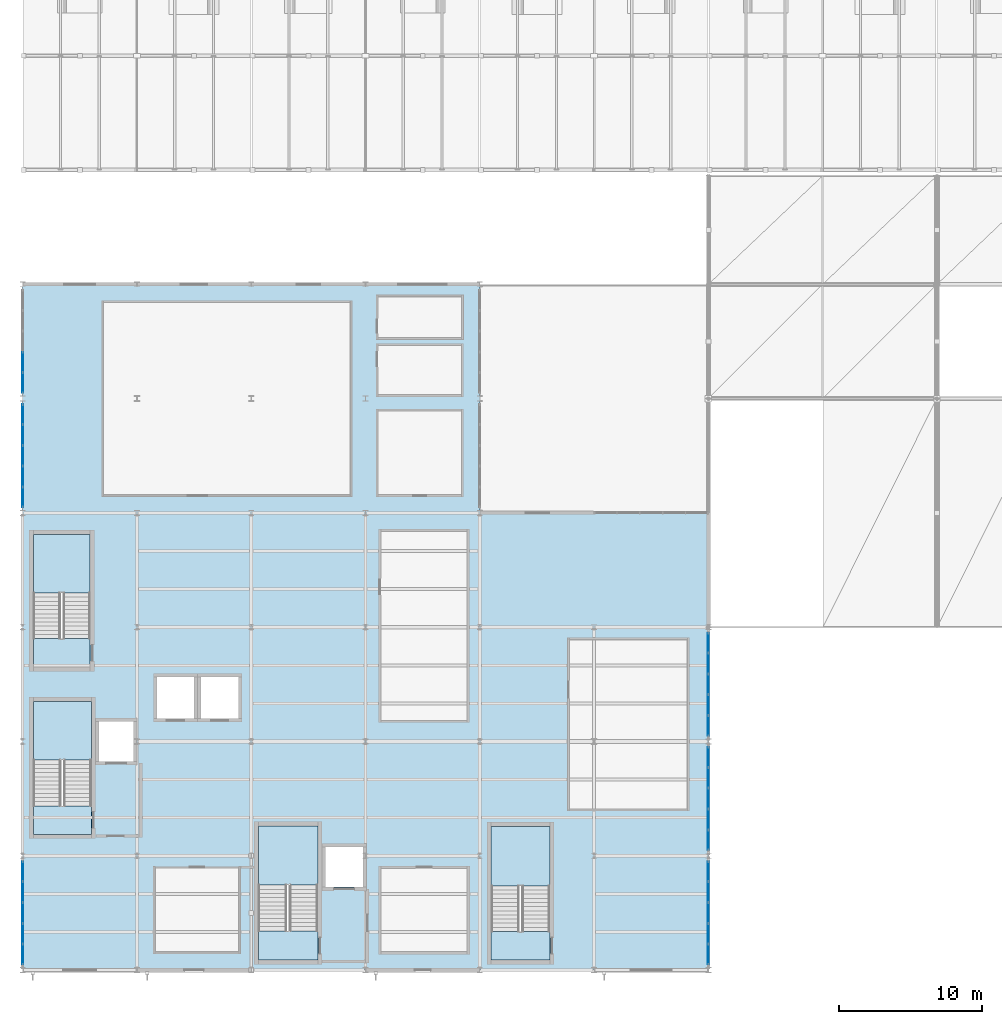
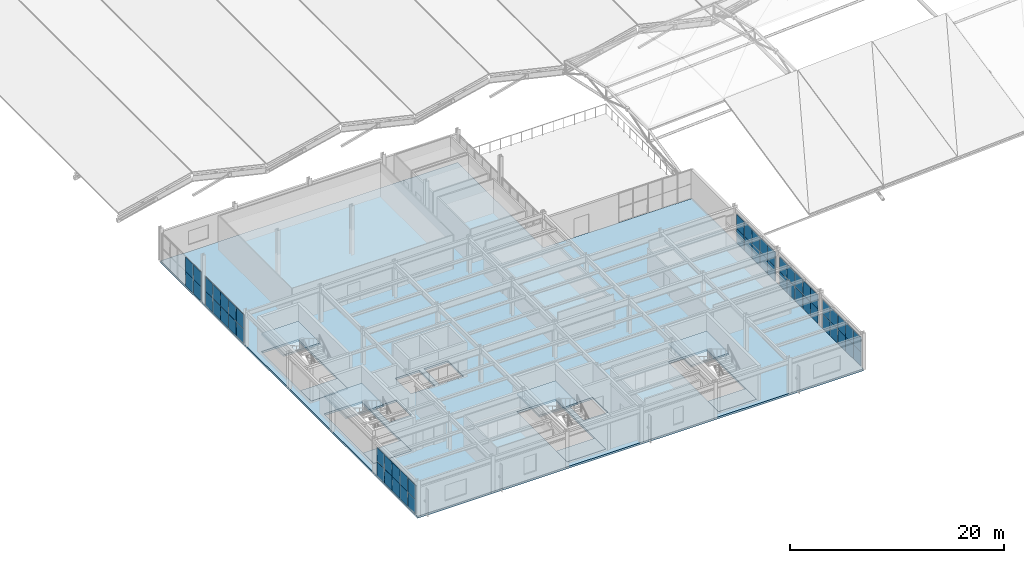
# One storey, part 35 of 67: 54 plates, 9 slabs, 10 elements without a shape of their own.
"""IFC4 building model written with IfcOpenShell, lengths in metres."""

from ifc_helpers import new_model, si_unit, direction, frame, origin, origin_2d, place, context, subcontext, project, spatial, polyline, rectangle, outline, extrude, material, layer, layer_set, type_object, element, aggregate, save


model = new_model("IFC4")

# Units and contexts
model_context = context("Model", 3, precision=1e-05, world=origin(), true_north=direction((0.0, 1.0)))
body_context = subcontext(model_context, "Body", "Model", "MODEL_VIEW")
ifc_project = project(units=[si_unit("LENGTHUNIT", "METRE"), si_unit("AREAUNIT", "SQUARE_METRE"), si_unit("VOLUMEUNIT", "CUBIC_METRE"), si_unit("PLANEANGLEUNIT", "RADIAN"), si_unit("MASSUNIT", "GRAM", prefix="KILO")], contexts=[model_context])

# Site, building, storey
site_placement = place(None, origin())
site = spatial("IfcSite", under=ifc_project, at=site_placement, CompositionType="ELEMENT")
building_placement = place(site_placement, origin())
building = spatial("IfcBuilding", under=site, at=building_placement, Name="Drelvath Fold Interchange", CompositionType="ELEMENT")
storey_placement = place(building_placement, frame((0.0, 0.0, 15.60009765625)))
storey = spatial("IfcBuildingStorey", under=building, at=storey_placement, Name="L03", CompositionType="ELEMENT", Elevation=15.60009765625)

# Curtain wall, plates
ifc_material_1 = material(Name="Anodized Aluminium 6063-T6", Category="aluminium")
curtain_wall_type = type_object("IfcCurtainWallType", Name="CW-OPS-UPP", PredefinedType="USERDEFINED", material=ifc_material_1)
curtain_wall_1_placement = place(storey_placement, origin())
curtain_wall_1 = element("IfcCurtainWall", 1, at=curtain_wall_1_placement, inside=storey, type_object=curtain_wall_type, Name="Curtain wall CW-V5-L03-W3", ObjectType="UNITISED CURTAIN WALL", PredefinedType="USERDEFINED")
ifc_material_2 = material(Name="Low-Iron Insulated Laminated Glass", Category="glass")
ifc_layer_1 = layer(ifc_material_2, 0.068115234375, Name="Low-Iron Insulated Laminated Glass")
ifc_layer_set_1 = layer_set([ifc_layer_1], Name="Low-Iron Insulated Laminated Glass")
plate_type = type_object("IfcPlateType", Name="CP-OPS-A", PredefinedType="CURTAIN_PANEL", material=ifc_layer_set_1)
plate_1_placement = place(storey_placement, frame((4.0, 4.10791015625, 0.040283203125), z_axis=(0.0, 0.0, 1.0), x_axis=(0.0, 1.0, 0.0)))
plate_1 = element("IfcPlate", 2, at=plate_1_placement, type_object=plate_type, Name="CW-V5-L03-W3 glazed panel 0-0", PredefinedType="CURTAIN_PANEL", context=body_context, shape_type="SweptSolid", body=[
    extrude(rectangle(XDim=1.39599609375, YDim=0.068115234375, at=origin_2d()), origin(), (0.0, 0.0, 1.0), 1.625),
])
plate_2_placement = place(storey_placement, frame((4.0, 4.10791015625, 1.684326171875), z_axis=(0.0, 0.0, 1.0), x_axis=(0.0, 1.0, 0.0)))
plate_2 = element("IfcPlate", 3, at=plate_2_placement, type_object=plate_type, Name="CW-V5-L03-W3 glazed panel 0-1", PredefinedType="CURTAIN_PANEL", context=body_context, shape_type="SweptSolid", body=[
    extrude(rectangle(XDim=1.39599609375, YDim=0.068115234375, at=origin_2d()), origin(), (0.0, 0.0, 1.0), 1.625),
])
plate_3_placement = place(storey_placement, frame((4.0, 5.5439453125, 0.040283203125), z_axis=(0.0, 0.0, 1.0), x_axis=(0.0, 1.0, 0.0)))
plate_3 = element("IfcPlate", 4, at=plate_3_placement, type_object=plate_type, Name="CW-V5-L03-W3 glazed panel 1-0", PredefinedType="CURTAIN_PANEL", context=body_context, shape_type="SweptSolid", body=[
    extrude(rectangle(XDim=1.43603515625, YDim=0.068115234375, at=origin_2d()), origin(), (0.0, 0.0, 1.0), 1.625),
])
plate_4_placement = place(storey_placement, frame((4.0, 5.5439453125, 1.684326171875), z_axis=(0.0, 0.0, 1.0), x_axis=(0.0, 1.0, 0.0)))
plate_4 = element("IfcPlate", 5, at=plate_4_placement, type_object=plate_type, Name="CW-V5-L03-W3 glazed panel 1-1", PredefinedType="CURTAIN_PANEL", context=body_context, shape_type="SweptSolid", body=[
    extrude(rectangle(XDim=1.43603515625, YDim=0.068115234375, at=origin_2d()), origin(), (0.0, 0.0, 1.0), 1.625),
])
plate_5_placement = place(storey_placement, frame((4.0, 7.0, 0.040283203125), z_axis=(0.0, 0.0, 1.0), x_axis=(0.0, 1.0, 0.0)))
plate_5 = element("IfcPlate", 6, at=plate_5_placement, type_object=plate_type, Name="CW-V5-L03-W3 glazed panel 2-0", PredefinedType="CURTAIN_PANEL", context=body_context, shape_type="SweptSolid", body=[
    extrude(rectangle(XDim=1.43603515625, YDim=0.068115234375, at=origin_2d()), origin(), (0.0, 0.0, 1.0), 1.625),
])
plate_6_placement = place(storey_placement, frame((4.0, 7.0, 1.684326171875), z_axis=(0.0, 0.0, 1.0), x_axis=(0.0, 1.0, 0.0)))
plate_6 = element("IfcPlate", 7, at=plate_6_placement, type_object=plate_type, Name="CW-V5-L03-W3 glazed panel 2-1", PredefinedType="CURTAIN_PANEL", context=body_context, shape_type="SweptSolid", body=[
    extrude(rectangle(XDim=1.43603515625, YDim=0.068115234375, at=origin_2d()), origin(), (0.0, 0.0, 1.0), 1.625),
])
plate_7_placement = place(storey_placement, frame((4.0, 8.4560546875, 0.040283203125), z_axis=(0.0, 0.0, 1.0), x_axis=(0.0, 1.0, 0.0)))
plate_7 = element("IfcPlate", 8, at=plate_7_placement, type_object=plate_type, Name="CW-V5-L03-W3 glazed panel 3-0", PredefinedType="CURTAIN_PANEL", context=body_context, shape_type="SweptSolid", body=[
    extrude(rectangle(XDim=1.43603515625, YDim=0.068115234375, at=origin_2d()), origin(), (0.0, 0.0, 1.0), 1.625),
])
plate_8_placement = place(storey_placement, frame((4.0, 8.4560546875, 1.684326171875), z_axis=(0.0, 0.0, 1.0), x_axis=(0.0, 1.0, 0.0)))
plate_8 = element("IfcPlate", 9, at=plate_8_placement, type_object=plate_type, Name="CW-V5-L03-W3 glazed panel 3-1", PredefinedType="CURTAIN_PANEL", context=body_context, shape_type="SweptSolid", body=[
    extrude(rectangle(XDim=1.43603515625, YDim=0.068115234375, at=origin_2d()), origin(), (0.0, 0.0, 1.0), 1.625),
])
plate_9_placement = place(storey_placement, frame((4.0, 9.89208984375, 0.040283203125), z_axis=(0.0, 0.0, 1.0), x_axis=(0.0, 1.0, 0.0)))
plate_9 = element("IfcPlate", 10, at=plate_9_placement, type_object=plate_type, Name="CW-V5-L03-W3 glazed panel 4-0", PredefinedType="CURTAIN_PANEL", context=body_context, shape_type="SweptSolid", body=[
    extrude(rectangle(XDim=1.39599609375, YDim=0.068115234375, at=origin_2d()), origin(), (0.0, 0.0, 1.0), 1.625),
])
plate_10_placement = place(storey_placement, frame((4.0, 9.89208984375, 1.684326171875), z_axis=(0.0, 0.0, 1.0), x_axis=(0.0, 1.0, 0.0)))
plate_10 = element("IfcPlate", 11, at=plate_10_placement, type_object=plate_type, Name="CW-V5-L03-W3 glazed panel 4-1", PredefinedType="CURTAIN_PANEL", context=body_context, shape_type="SweptSolid", body=[
    extrude(rectangle(XDim=1.39599609375, YDim=0.068115234375, at=origin_2d()), origin(), (0.0, 0.0, 1.0), 1.625),
])
aggregate(curtain_wall_1, [plate_1, plate_2, plate_3, plate_4, plate_5, plate_6, plate_7, plate_8, plate_9, plate_10])

curtain_wall_2_placement = place(storey_placement, origin())
curtain_wall_2 = element("IfcCurtainWall", 12, at=curtain_wall_2_placement, inside=storey, type_object=curtain_wall_type, Name="Curtain wall CW-V5-L03-W35", ObjectType="UNITISED CURTAIN WALL", PredefinedType="USERDEFINED")
plate_11_placement = place(storey_placement, frame((4.0, 36.10791015625, 0.040283203125), z_axis=(0.0, 0.0, 1.0), x_axis=(0.0, 1.0, 0.0)))
plate_11 = element("IfcPlate", 13, at=plate_11_placement, type_object=plate_type, Name="CW-V5-L03-W35 glazed panel 0-0", PredefinedType="CURTAIN_PANEL", context=body_context, shape_type="SweptSolid", body=[
    extrude(rectangle(XDim=1.39599609375, YDim=0.068115234375, at=origin_2d()), origin(), (0.0, 0.0, 1.0), 1.625),
])
plate_12_placement = place(storey_placement, frame((4.0, 36.10791015625, 1.684326171875), z_axis=(0.0, 0.0, 1.0), x_axis=(0.0, 1.0, 0.0)))
plate_12 = element("IfcPlate", 14, at=plate_12_placement, type_object=plate_type, Name="CW-V5-L03-W35 glazed panel 0-1", PredefinedType="CURTAIN_PANEL", context=body_context, shape_type="SweptSolid", body=[
    extrude(rectangle(XDim=1.39599609375, YDim=0.068115234375, at=origin_2d()), origin(), (0.0, 0.0, 1.0), 1.625),
])
plate_13_placement = place(storey_placement, frame((4.0, 37.5439453125, 0.040283203125), z_axis=(0.0, 0.0, 1.0), x_axis=(0.0, 1.0, 0.0)))
plate_13 = element("IfcPlate", 15, at=plate_13_placement, type_object=plate_type, Name="CW-V5-L03-W35 glazed panel 1-0", PredefinedType="CURTAIN_PANEL", context=body_context, shape_type="SweptSolid", body=[
    extrude(rectangle(XDim=1.43603515625, YDim=0.068115234375, at=origin_2d()), origin(), (0.0, 0.0, 1.0), 1.625),
])
plate_14_placement = place(storey_placement, frame((4.0, 37.5439453125, 1.684326171875), z_axis=(0.0, 0.0, 1.0), x_axis=(0.0, 1.0, 0.0)))
plate_14 = element("IfcPlate", 16, at=plate_14_placement, type_object=plate_type, Name="CW-V5-L03-W35 glazed panel 1-1", PredefinedType="CURTAIN_PANEL", context=body_context, shape_type="SweptSolid", body=[
    extrude(rectangle(XDim=1.43603515625, YDim=0.068115234375, at=origin_2d()), origin(), (0.0, 0.0, 1.0), 1.625),
])
plate_15_placement = place(storey_placement, frame((4.0, 39.0, 0.040283203125), z_axis=(0.0, 0.0, 1.0), x_axis=(0.0, 1.0, 0.0)))
plate_15 = element("IfcPlate", 17, at=plate_15_placement, type_object=plate_type, Name="CW-V5-L03-W35 glazed panel 2-0", PredefinedType="CURTAIN_PANEL", context=body_context, shape_type="SweptSolid", body=[
    extrude(rectangle(XDim=1.43603515625, YDim=0.068115234375, at=origin_2d()), origin(), (0.0, 0.0, 1.0), 1.625),
])
plate_16_placement = place(storey_placement, frame((4.0, 39.0, 1.684326171875), z_axis=(0.0, 0.0, 1.0), x_axis=(0.0, 1.0, 0.0)))
plate_16 = element("IfcPlate", 18, at=plate_16_placement, type_object=plate_type, Name="CW-V5-L03-W35 glazed panel 2-1", PredefinedType="CURTAIN_PANEL", context=body_context, shape_type="SweptSolid", body=[
    extrude(rectangle(XDim=1.43603515625, YDim=0.068115234375, at=origin_2d()), origin(), (0.0, 0.0, 1.0), 1.625),
])
plate_17_placement = place(storey_placement, frame((4.0, 40.4560546875, 0.040283203125), z_axis=(0.0, 0.0, 1.0), x_axis=(0.0, 1.0, 0.0)))
plate_17 = element("IfcPlate", 19, at=plate_17_placement, type_object=plate_type, Name="CW-V5-L03-W35 glazed panel 3-0", PredefinedType="CURTAIN_PANEL", context=body_context, shape_type="SweptSolid", body=[
    extrude(rectangle(XDim=1.43603515625, YDim=0.068115234375, at=origin_2d()), origin(), (0.0, 0.0, 1.0), 1.625),
])
plate_18_placement = place(storey_placement, frame((4.0, 40.4560546875, 1.684326171875), z_axis=(0.0, 0.0, 1.0), x_axis=(0.0, 1.0, 0.0)))
plate_18 = element("IfcPlate", 20, at=plate_18_placement, type_object=plate_type, Name="CW-V5-L03-W35 glazed panel 3-1", PredefinedType="CURTAIN_PANEL", context=body_context, shape_type="SweptSolid", body=[
    extrude(rectangle(XDim=1.43603515625, YDim=0.068115234375, at=origin_2d()), origin(), (0.0, 0.0, 1.0), 1.625),
])
plate_19_placement = place(storey_placement, frame((4.0, 41.89208984375, 0.040283203125), z_axis=(0.0, 0.0, 1.0), x_axis=(0.0, 1.0, 0.0)))
plate_19 = element("IfcPlate", 21, at=plate_19_placement, type_object=plate_type, Name="CW-V5-L03-W35 glazed panel 4-0", PredefinedType="CURTAIN_PANEL", context=body_context, shape_type="SweptSolid", body=[
    extrude(rectangle(XDim=1.39599609375, YDim=0.068115234375, at=origin_2d()), origin(), (0.0, 0.0, 1.0), 1.625),
])
plate_20_placement = place(storey_placement, frame((4.0, 41.89208984375, 1.684326171875), z_axis=(0.0, 0.0, 1.0), x_axis=(0.0, 1.0, 0.0)))
plate_20 = element("IfcPlate", 22, at=plate_20_placement, type_object=plate_type, Name="CW-V5-L03-W35 glazed panel 4-1", PredefinedType="CURTAIN_PANEL", context=body_context, shape_type="SweptSolid", body=[
    extrude(rectangle(XDim=1.39599609375, YDim=0.068115234375, at=origin_2d()), origin(), (0.0, 0.0, 1.0), 1.625),
])
aggregate(curtain_wall_2, [plate_11, plate_12, plate_13, plate_14, plate_15, plate_16, plate_17, plate_18, plate_19, plate_20])

curtain_wall_3_placement = place(storey_placement, origin())
curtain_wall_3 = element("IfcCurtainWall", 23, at=curtain_wall_3_placement, inside=storey, type_object=curtain_wall_type, Name="Curtain wall CW-V5-L03-W43", ObjectType="UNITISED CURTAIN WALL", PredefinedType="USERDEFINED")
plate_21_placement = place(storey_placement, frame((4.0, 44.10791015625, 0.040283203125), z_axis=(0.0, 0.0, 1.0), x_axis=(0.0, 1.0, 0.0)))
plate_21 = element("IfcPlate", 24, at=plate_21_placement, type_object=plate_type, Name="CW-V5-L03-W43 glazed panel 0-0", PredefinedType="CURTAIN_PANEL", context=body_context, shape_type="SweptSolid", body=[
    extrude(rectangle(XDim=1.39599609375, YDim=0.068115234375, at=origin_2d()), origin(), (0.0, 0.0, 1.0), 1.625),
])
plate_22_placement = place(storey_placement, frame((4.0, 44.10791015625, 1.684326171875), z_axis=(0.0, 0.0, 1.0), x_axis=(0.0, 1.0, 0.0)))
plate_22 = element("IfcPlate", 25, at=plate_22_placement, type_object=plate_type, Name="CW-V5-L03-W43 glazed panel 0-1", PredefinedType="CURTAIN_PANEL", context=body_context, shape_type="SweptSolid", body=[
    extrude(rectangle(XDim=1.39599609375, YDim=0.068115234375, at=origin_2d()), origin(), (0.0, 0.0, 1.0), 1.625),
])
plate_23_placement = place(storey_placement, frame((4.0, 45.5439453125, 0.040283203125), z_axis=(0.0, 0.0, 1.0), x_axis=(0.0, 1.0, 0.0)))
plate_23 = element("IfcPlate", 26, at=plate_23_placement, type_object=plate_type, Name="CW-V5-L03-W43 glazed panel 1-0", PredefinedType="CURTAIN_PANEL", context=body_context, shape_type="SweptSolid", body=[
    extrude(rectangle(XDim=1.43603515625, YDim=0.068115234375, at=origin_2d()), origin(), (0.0, 0.0, 1.0), 1.625),
])
plate_24_placement = place(storey_placement, frame((4.0, 45.5439453125, 1.684326171875), z_axis=(0.0, 0.0, 1.0), x_axis=(0.0, 1.0, 0.0)))
plate_24 = element("IfcPlate", 27, at=plate_24_placement, type_object=plate_type, Name="CW-V5-L03-W43 glazed panel 1-1", PredefinedType="CURTAIN_PANEL", context=body_context, shape_type="SweptSolid", body=[
    extrude(rectangle(XDim=1.43603515625, YDim=0.068115234375, at=origin_2d()), origin(), (0.0, 0.0, 1.0), 1.625),
])
aggregate(curtain_wall_3, [plate_21, plate_22, plate_23, plate_24])

curtain_wall_4_placement = place(storey_placement, origin())
curtain_wall_4 = element("IfcCurtainWall", 28, at=curtain_wall_4_placement, inside=storey, type_object=curtain_wall_type, Name="Curtain wall CW-V5-L03-E3", ObjectType="UNITISED CURTAIN WALL", PredefinedType="USERDEFINED")
plate_25_placement = place(storey_placement, frame((52.0, 4.10791015625, 0.040283203125), z_axis=(0.0, 0.0, 1.0), x_axis=(0.0, 1.0, 0.0)))
plate_25 = element("IfcPlate", 29, at=plate_25_placement, type_object=plate_type, Name="CW-V5-L03-E3 glazed panel 0-0", PredefinedType="CURTAIN_PANEL", context=body_context, shape_type="SweptSolid", body=[
    extrude(rectangle(XDim=1.39599609375, YDim=0.068115234375, at=origin_2d()), origin(), (0.0, 0.0, 1.0), 1.625),
])
plate_26_placement = place(storey_placement, frame((52.0, 4.10791015625, 1.684326171875), z_axis=(0.0, 0.0, 1.0), x_axis=(0.0, 1.0, 0.0)))
plate_26 = element("IfcPlate", 30, at=plate_26_placement, type_object=plate_type, Name="CW-V5-L03-E3 glazed panel 0-1", PredefinedType="CURTAIN_PANEL", context=body_context, shape_type="SweptSolid", body=[
    extrude(rectangle(XDim=1.39599609375, YDim=0.068115234375, at=origin_2d()), origin(), (0.0, 0.0, 1.0), 1.625),
])
plate_27_placement = place(storey_placement, frame((52.0, 5.5439453125, 0.040283203125), z_axis=(0.0, 0.0, 1.0), x_axis=(0.0, 1.0, 0.0)))
plate_27 = element("IfcPlate", 31, at=plate_27_placement, type_object=plate_type, Name="CW-V5-L03-E3 glazed panel 1-0", PredefinedType="CURTAIN_PANEL", context=body_context, shape_type="SweptSolid", body=[
    extrude(rectangle(XDim=1.43603515625, YDim=0.068115234375, at=origin_2d()), origin(), (0.0, 0.0, 1.0), 1.625),
])
plate_28_placement = place(storey_placement, frame((52.0, 5.5439453125, 1.684326171875), z_axis=(0.0, 0.0, 1.0), x_axis=(0.0, 1.0, 0.0)))
plate_28 = element("IfcPlate", 32, at=plate_28_placement, type_object=plate_type, Name="CW-V5-L03-E3 glazed panel 1-1", PredefinedType="CURTAIN_PANEL", context=body_context, shape_type="SweptSolid", body=[
    extrude(rectangle(XDim=1.43603515625, YDim=0.068115234375, at=origin_2d()), origin(), (0.0, 0.0, 1.0), 1.625),
])
plate_29_placement = place(storey_placement, frame((52.0, 7.0, 0.040283203125), z_axis=(0.0, 0.0, 1.0), x_axis=(0.0, 1.0, 0.0)))
plate_29 = element("IfcPlate", 33, at=plate_29_placement, type_object=plate_type, Name="CW-V5-L03-E3 glazed panel 2-0", PredefinedType="CURTAIN_PANEL", context=body_context, shape_type="SweptSolid", body=[
    extrude(rectangle(XDim=1.43603515625, YDim=0.068115234375, at=origin_2d()), origin(), (0.0, 0.0, 1.0), 1.625),
])
plate_30_placement = place(storey_placement, frame((52.0, 7.0, 1.684326171875), z_axis=(0.0, 0.0, 1.0), x_axis=(0.0, 1.0, 0.0)))
plate_30 = element("IfcPlate", 34, at=plate_30_placement, type_object=plate_type, Name="CW-V5-L03-E3 glazed panel 2-1", PredefinedType="CURTAIN_PANEL", context=body_context, shape_type="SweptSolid", body=[
    extrude(rectangle(XDim=1.43603515625, YDim=0.068115234375, at=origin_2d()), origin(), (0.0, 0.0, 1.0), 1.625),
])
plate_31_placement = place(storey_placement, frame((52.0, 8.4560546875, 0.040283203125), z_axis=(0.0, 0.0, 1.0), x_axis=(0.0, 1.0, 0.0)))
plate_31 = element("IfcPlate", 35, at=plate_31_placement, type_object=plate_type, Name="CW-V5-L03-E3 glazed panel 3-0", PredefinedType="CURTAIN_PANEL", context=body_context, shape_type="SweptSolid", body=[
    extrude(rectangle(XDim=1.43603515625, YDim=0.068115234375, at=origin_2d()), origin(), (0.0, 0.0, 1.0), 1.625),
])
plate_32_placement = place(storey_placement, frame((52.0, 8.4560546875, 1.684326171875), z_axis=(0.0, 0.0, 1.0), x_axis=(0.0, 1.0, 0.0)))
plate_32 = element("IfcPlate", 36, at=plate_32_placement, type_object=plate_type, Name="CW-V5-L03-E3 glazed panel 3-1", PredefinedType="CURTAIN_PANEL", context=body_context, shape_type="SweptSolid", body=[
    extrude(rectangle(XDim=1.43603515625, YDim=0.068115234375, at=origin_2d()), origin(), (0.0, 0.0, 1.0), 1.625),
])
plate_33_placement = place(storey_placement, frame((52.0, 9.89208984375, 0.040283203125), z_axis=(0.0, 0.0, 1.0), x_axis=(0.0, 1.0, 0.0)))
plate_33 = element("IfcPlate", 37, at=plate_33_placement, type_object=plate_type, Name="CW-V5-L03-E3 glazed panel 4-0", PredefinedType="CURTAIN_PANEL", context=body_context, shape_type="SweptSolid", body=[
    extrude(rectangle(XDim=1.39599609375, YDim=0.068115234375, at=origin_2d()), origin(), (0.0, 0.0, 1.0), 1.625),
])
plate_34_placement = place(storey_placement, frame((52.0, 9.89208984375, 1.684326171875), z_axis=(0.0, 0.0, 1.0), x_axis=(0.0, 1.0, 0.0)))
plate_34 = element("IfcPlate", 38, at=plate_34_placement, type_object=plate_type, Name="CW-V5-L03-E3 glazed panel 4-1", PredefinedType="CURTAIN_PANEL", context=body_context, shape_type="SweptSolid", body=[
    extrude(rectangle(XDim=1.39599609375, YDim=0.068115234375, at=origin_2d()), origin(), (0.0, 0.0, 1.0), 1.625),
])
aggregate(curtain_wall_4, [plate_25, plate_26, plate_27, plate_28, plate_29, plate_30, plate_31, plate_32, plate_33, plate_34])

curtain_wall_5_placement = place(storey_placement, origin())
curtain_wall_5 = element("IfcCurtainWall", 39, at=curtain_wall_5_placement, inside=storey, type_object=curtain_wall_type, Name="Curtain wall CW-V5-L03-E11", ObjectType="UNITISED CURTAIN WALL", PredefinedType="USERDEFINED")
plate_35_placement = place(storey_placement, frame((52.0, 12.10791015625, 0.040283203125), z_axis=(0.0, 0.0, 1.0), x_axis=(0.0, 1.0, 0.0)))
plate_35 = element("IfcPlate", 40, at=plate_35_placement, type_object=plate_type, Name="CW-V5-L03-E11 glazed panel 0-0", PredefinedType="CURTAIN_PANEL", context=body_context, shape_type="SweptSolid", body=[
    extrude(rectangle(XDim=1.39599609375, YDim=0.068115234375, at=origin_2d()), origin(), (0.0, 0.0, 1.0), 1.625),
])
plate_36_placement = place(storey_placement, frame((52.0, 12.10791015625, 1.684326171875), z_axis=(0.0, 0.0, 1.0), x_axis=(0.0, 1.0, 0.0)))
plate_36 = element("IfcPlate", 41, at=plate_36_placement, type_object=plate_type, Name="CW-V5-L03-E11 glazed panel 0-1", PredefinedType="CURTAIN_PANEL", context=body_context, shape_type="SweptSolid", body=[
    extrude(rectangle(XDim=1.39599609375, YDim=0.068115234375, at=origin_2d()), origin(), (0.0, 0.0, 1.0), 1.625),
])
plate_37_placement = place(storey_placement, frame((52.0, 13.5439453125, 0.040283203125), z_axis=(0.0, 0.0, 1.0), x_axis=(0.0, 1.0, 0.0)))
plate_37 = element("IfcPlate", 42, at=plate_37_placement, type_object=plate_type, Name="CW-V5-L03-E11 glazed panel 1-0", PredefinedType="CURTAIN_PANEL", context=body_context, shape_type="SweptSolid", body=[
    extrude(rectangle(XDim=1.43603515625, YDim=0.068115234375, at=origin_2d()), origin(), (0.0, 0.0, 1.0), 1.625),
])
plate_38_placement = place(storey_placement, frame((52.0, 13.5439453125, 1.684326171875), z_axis=(0.0, 0.0, 1.0), x_axis=(0.0, 1.0, 0.0)))
plate_38 = element("IfcPlate", 43, at=plate_38_placement, type_object=plate_type, Name="CW-V5-L03-E11 glazed panel 1-1", PredefinedType="CURTAIN_PANEL", context=body_context, shape_type="SweptSolid", body=[
    extrude(rectangle(XDim=1.43603515625, YDim=0.068115234375, at=origin_2d()), origin(), (0.0, 0.0, 1.0), 1.625),
])
plate_39_placement = place(storey_placement, frame((52.0, 15.0, 0.040283203125), z_axis=(0.0, 0.0, 1.0), x_axis=(0.0, 1.0, 0.0)))
plate_39 = element("IfcPlate", 44, at=plate_39_placement, type_object=plate_type, Name="CW-V5-L03-E11 glazed panel 2-0", PredefinedType="CURTAIN_PANEL", context=body_context, shape_type="SweptSolid", body=[
    extrude(rectangle(XDim=1.43603515625, YDim=0.068115234375, at=origin_2d()), origin(), (0.0, 0.0, 1.0), 1.625),
])
plate_40_placement = place(storey_placement, frame((52.0, 15.0, 1.684326171875), z_axis=(0.0, 0.0, 1.0), x_axis=(0.0, 1.0, 0.0)))
plate_40 = element("IfcPlate", 45, at=plate_40_placement, type_object=plate_type, Name="CW-V5-L03-E11 glazed panel 2-1", PredefinedType="CURTAIN_PANEL", context=body_context, shape_type="SweptSolid", body=[
    extrude(rectangle(XDim=1.43603515625, YDim=0.068115234375, at=origin_2d()), origin(), (0.0, 0.0, 1.0), 1.625),
])
plate_41_placement = place(storey_placement, frame((52.0, 16.4560546875, 0.040283203125), z_axis=(0.0, 0.0, 1.0), x_axis=(0.0, 1.0, 0.0)))
plate_41 = element("IfcPlate", 46, at=plate_41_placement, type_object=plate_type, Name="CW-V5-L03-E11 glazed panel 3-0", PredefinedType="CURTAIN_PANEL", context=body_context, shape_type="SweptSolid", body=[
    extrude(rectangle(XDim=1.43603515625, YDim=0.068115234375, at=origin_2d()), origin(), (0.0, 0.0, 1.0), 1.625),
])
plate_42_placement = place(storey_placement, frame((52.0, 16.4560546875, 1.684326171875), z_axis=(0.0, 0.0, 1.0), x_axis=(0.0, 1.0, 0.0)))
plate_42 = element("IfcPlate", 47, at=plate_42_placement, type_object=plate_type, Name="CW-V5-L03-E11 glazed panel 3-1", PredefinedType="CURTAIN_PANEL", context=body_context, shape_type="SweptSolid", body=[
    extrude(rectangle(XDim=1.43603515625, YDim=0.068115234375, at=origin_2d()), origin(), (0.0, 0.0, 1.0), 1.625),
])
plate_43_placement = place(storey_placement, frame((52.0, 17.89208984375, 0.040283203125), z_axis=(0.0, 0.0, 1.0), x_axis=(0.0, 1.0, 0.0)))
plate_43 = element("IfcPlate", 48, at=plate_43_placement, type_object=plate_type, Name="CW-V5-L03-E11 glazed panel 4-0", PredefinedType="CURTAIN_PANEL", context=body_context, shape_type="SweptSolid", body=[
    extrude(rectangle(XDim=1.39599609375, YDim=0.068115234375, at=origin_2d()), origin(), (0.0, 0.0, 1.0), 1.625),
])
plate_44_placement = place(storey_placement, frame((52.0, 17.89208984375, 1.684326171875), z_axis=(0.0, 0.0, 1.0), x_axis=(0.0, 1.0, 0.0)))
plate_44 = element("IfcPlate", 49, at=plate_44_placement, type_object=plate_type, Name="CW-V5-L03-E11 glazed panel 4-1", PredefinedType="CURTAIN_PANEL", context=body_context, shape_type="SweptSolid", body=[
    extrude(rectangle(XDim=1.39599609375, YDim=0.068115234375, at=origin_2d()), origin(), (0.0, 0.0, 1.0), 1.625),
])
aggregate(curtain_wall_5, [plate_35, plate_36, plate_37, plate_38, plate_39, plate_40, plate_41, plate_42, plate_43, plate_44])

curtain_wall_6_placement = place(storey_placement, origin())
curtain_wall_6 = element("IfcCurtainWall", 50, at=curtain_wall_6_placement, inside=storey, type_object=curtain_wall_type, Name="Curtain wall CW-V5-L03-E19", ObjectType="UNITISED CURTAIN WALL", PredefinedType="USERDEFINED")
plate_45_placement = place(storey_placement, frame((52.0, 20.10791015625, 0.040283203125), z_axis=(0.0, 0.0, 1.0), x_axis=(0.0, 1.0, 0.0)))
plate_45 = element("IfcPlate", 51, at=plate_45_placement, type_object=plate_type, Name="CW-V5-L03-E19 glazed panel 0-0", PredefinedType="CURTAIN_PANEL", context=body_context, shape_type="SweptSolid", body=[
    extrude(rectangle(XDim=1.39599609375, YDim=0.068115234375, at=origin_2d()), origin(), (0.0, 0.0, 1.0), 1.625),
])
plate_46_placement = place(storey_placement, frame((52.0, 20.10791015625, 1.684326171875), z_axis=(0.0, 0.0, 1.0), x_axis=(0.0, 1.0, 0.0)))
plate_46 = element("IfcPlate", 52, at=plate_46_placement, type_object=plate_type, Name="CW-V5-L03-E19 glazed panel 0-1", PredefinedType="CURTAIN_PANEL", context=body_context, shape_type="SweptSolid", body=[
    extrude(rectangle(XDim=1.39599609375, YDim=0.068115234375, at=origin_2d()), origin(), (0.0, 0.0, 1.0), 1.625),
])
plate_47_placement = place(storey_placement, frame((52.0, 21.5439453125, 0.040283203125), z_axis=(0.0, 0.0, 1.0), x_axis=(0.0, 1.0, 0.0)))
plate_47 = element("IfcPlate", 53, at=plate_47_placement, type_object=plate_type, Name="CW-V5-L03-E19 glazed panel 1-0", PredefinedType="CURTAIN_PANEL", context=body_context, shape_type="SweptSolid", body=[
    extrude(rectangle(XDim=1.43603515625, YDim=0.068115234375, at=origin_2d()), origin(), (0.0, 0.0, 1.0), 1.625),
])
plate_48_placement = place(storey_placement, frame((52.0, 21.5439453125, 1.684326171875), z_axis=(0.0, 0.0, 1.0), x_axis=(0.0, 1.0, 0.0)))
plate_48 = element("IfcPlate", 54, at=plate_48_placement, type_object=plate_type, Name="CW-V5-L03-E19 glazed panel 1-1", PredefinedType="CURTAIN_PANEL", context=body_context, shape_type="SweptSolid", body=[
    extrude(rectangle(XDim=1.43603515625, YDim=0.068115234375, at=origin_2d()), origin(), (0.0, 0.0, 1.0), 1.625),
])
plate_49_placement = place(storey_placement, frame((52.0, 23.0, 0.040283203125), z_axis=(0.0, 0.0, 1.0), x_axis=(0.0, 1.0, 0.0)))
plate_49 = element("IfcPlate", 55, at=plate_49_placement, type_object=plate_type, Name="CW-V5-L03-E19 glazed panel 2-0", PredefinedType="CURTAIN_PANEL", context=body_context, shape_type="SweptSolid", body=[
    extrude(rectangle(XDim=1.43603515625, YDim=0.068115234375, at=origin_2d()), origin(), (0.0, 0.0, 1.0), 1.625),
])
plate_50_placement = place(storey_placement, frame((52.0, 23.0, 1.684326171875), z_axis=(0.0, 0.0, 1.0), x_axis=(0.0, 1.0, 0.0)))
plate_50 = element("IfcPlate", 56, at=plate_50_placement, type_object=plate_type, Name="CW-V5-L03-E19 glazed panel 2-1", PredefinedType="CURTAIN_PANEL", context=body_context, shape_type="SweptSolid", body=[
    extrude(rectangle(XDim=1.43603515625, YDim=0.068115234375, at=origin_2d()), origin(), (0.0, 0.0, 1.0), 1.625),
])
plate_51_placement = place(storey_placement, frame((52.0, 24.4560546875, 0.040283203125), z_axis=(0.0, 0.0, 1.0), x_axis=(0.0, 1.0, 0.0)))
plate_51 = element("IfcPlate", 57, at=plate_51_placement, type_object=plate_type, Name="CW-V5-L03-E19 glazed panel 3-0", PredefinedType="CURTAIN_PANEL", context=body_context, shape_type="SweptSolid", body=[
    extrude(rectangle(XDim=1.43603515625, YDim=0.068115234375, at=origin_2d()), origin(), (0.0, 0.0, 1.0), 1.625),
])
plate_52_placement = place(storey_placement, frame((52.0, 24.4560546875, 1.684326171875), z_axis=(0.0, 0.0, 1.0), x_axis=(0.0, 1.0, 0.0)))
plate_52 = element("IfcPlate", 58, at=plate_52_placement, type_object=plate_type, Name="CW-V5-L03-E19 glazed panel 3-1", PredefinedType="CURTAIN_PANEL", context=body_context, shape_type="SweptSolid", body=[
    extrude(rectangle(XDim=1.43603515625, YDim=0.068115234375, at=origin_2d()), origin(), (0.0, 0.0, 1.0), 1.625),
])
plate_53_placement = place(storey_placement, frame((52.0, 25.89208984375, 0.040283203125), z_axis=(0.0, 0.0, 1.0), x_axis=(0.0, 1.0, 0.0)))
plate_53 = element("IfcPlate", 59, at=plate_53_placement, type_object=plate_type, Name="CW-V5-L03-E19 glazed panel 4-0", PredefinedType="CURTAIN_PANEL", context=body_context, shape_type="SweptSolid", body=[
    extrude(rectangle(XDim=1.39599609375, YDim=0.068115234375, at=origin_2d()), origin(), (0.0, 0.0, 1.0), 1.625),
])
plate_54_placement = place(storey_placement, frame((52.0, 25.89208984375, 1.684326171875), z_axis=(0.0, 0.0, 1.0), x_axis=(0.0, 1.0, 0.0)))
plate_54 = element("IfcPlate", 60, at=plate_54_placement, type_object=plate_type, Name="CW-V5-L03-E19 glazed panel 4-1", PredefinedType="CURTAIN_PANEL", context=body_context, shape_type="SweptSolid", body=[
    extrude(rectangle(XDim=1.39599609375, YDim=0.068115234375, at=origin_2d()), origin(), (0.0, 0.0, 1.0), 1.625),
])
aggregate(curtain_wall_6, [plate_45, plate_46, plate_47, plate_48, plate_49, plate_50, plate_51, plate_52, plate_53, plate_54])

# Slabs
ifc_material_3 = material(Name="Concrete f'c 35 MPa (5000 psi)", Category="concrete")
ifc_layer_2 = layer(ifc_material_3, 0.22998046875, Name="Concrete f'c 35 MPa (5000 psi)")
ifc_layer_set_2 = layer_set([ifc_layer_2], Name="Concrete f'c 35 MPa (5000 psi)")
slab_type_1 = type_object("IfcSlabType", Name="FS-UP3", PredefinedType="FLOOR", material=ifc_layer_set_2)
slab_1_placement = place(storey_placement, frame((0.0, 0.0, -0.22998046875)))
element("IfcSlab", 61, at=slab_1_placement, inside=storey, type_object=slab_type_1, Name="L03 structural slab SL-L03-V5", PredefinedType="FLOOR", context=body_context, shape_type="SweptSolid", body=[
    extrude(outline(polyline([(4.0, 3.0), (52.0, 3.0), (52.0, 35.0), (36.0, 35.0), (36.0, 51.0), (4.0, 51.0), (4.0, 3.0)]), holes=[polyline([(4.75, 12.5), (4.75, 21.800048828125), (8.81005859375, 21.800048828125), (8.81005859375, 12.5), (4.75, 12.5)]), polyline([(4.75, 24.199951171875), (4.75, 33.5), (8.72998046875, 33.5), (8.72998046875, 24.199951171875), (4.75, 24.199951171875)]), polyline([(20.5, 3.699951171875), (20.5, 13.10009765625), (24.659912109375, 13.10009765625), (24.659912109375, 3.699951171875), (20.5, 3.699951171875)]), polyline([(36.800048828125, 3.699951171875), (36.800048828125, 13.050048828125), (40.89990234375, 13.050048828125), (40.89990234375, 3.699951171875), (36.800048828125, 3.699951171875)]), polyline([(9.360107421875, 17.60009765625), (9.360107421875, 20.39990234375), (11.760009765625, 20.39990234375), (11.760009765625, 17.60009765625), (9.360107421875, 17.60009765625)]), polyline([(25.2099609375, 8.800048828125), (25.2099609375, 11.60009765625), (27.81005859375, 11.60009765625), (27.81005859375, 8.800048828125), (25.2099609375, 8.800048828125)]), polyline([(13.39990234375, 20.60009765625), (13.39990234375, 23.5), (16.0, 23.5), (16.0, 20.60009765625), (13.39990234375, 20.60009765625)]), polyline([(16.5, 20.60009765625), (16.5, 23.5), (19.10009765625, 23.5), (19.10009765625, 20.60009765625), (16.5, 20.60009765625)])]), origin(), (0.0, 0.0, 1.0), 0.22998046875),
])
slab_2_placement = place(storey_placement, frame((0.0, 0.0, -0.22998046875)))
element("IfcSlab", 62, at=slab_2_placement, inside=storey, type_object=slab_type_1, Name="ST-01 L03 stair floor landing slab", PredefinedType="FLOOR", context=body_context, shape_type="SweptSolid", body=[
    extrude(outline(polyline([(4.75, 12.5), (8.81005859375, 12.5), (8.81005859375, 14.5), (4.75, 14.5), (4.75, 12.5)])), origin(), (0.0, 0.0, 1.0), 0.22998046875),
])
slab_3_placement = place(storey_placement, frame((0.0, 0.0, -0.22998046875)))
element("IfcSlab", 63, at=slab_3_placement, inside=storey, type_object=slab_type_1, Name="ST-02 L03 stair floor landing slab", PredefinedType="FLOOR", context=body_context, shape_type="SweptSolid", body=[
    extrude(outline(polyline([(4.75, 24.199951171875), (8.72998046875, 24.199951171875), (8.72998046875, 26.199951171875), (4.75, 26.199951171875), (4.75, 24.199951171875)])), origin(), (0.0, 0.0, 1.0), 0.22998046875),
])
slab_4_placement = place(storey_placement, frame((0.0, 0.0, -0.22998046875)))
element("IfcSlab", 64, at=slab_4_placement, inside=storey, type_object=slab_type_1, Name="ST-03 L03 stair floor landing slab", PredefinedType="FLOOR", context=body_context, shape_type="SweptSolid", body=[
    extrude(outline(polyline([(20.5, 3.699951171875), (24.659912109375, 3.699951171875), (24.659912109375, 5.75), (20.5, 5.75), (20.5, 3.699951171875)])), origin(), (0.0, 0.0, 1.0), 0.22998046875),
])
slab_5_placement = place(storey_placement, frame((0.0, 0.0, -0.22998046875)))
element("IfcSlab", 65, at=slab_5_placement, inside=storey, type_object=slab_type_1, Name="ST-04 L03 stair floor landing slab", PredefinedType="FLOOR", context=body_context, shape_type="SweptSolid", body=[
    extrude(outline(polyline([(36.800048828125, 3.699951171875), (40.89990234375, 3.699951171875), (40.89990234375, 5.699951171875), (36.800048828125, 5.699951171875), (36.800048828125, 3.699951171875)])), origin(), (0.0, 0.0, 1.0), 0.22998046875),
])

# Stair, slab
stair_type_1 = type_object("IfcStairType", Name="STR-01", PredefinedType="HALF_TURN_STAIR", material=ifc_material_3)
stair_1_placement = place(storey_placement, origin())
stair_1 = element("IfcStair", 66, at=stair_1_placement, inside=storey, type_object=stair_type_1, Name="L03 Protected Exit Stair ST-01", PredefinedType="HALF_TURN_STAIR")
ifc_layer_3 = layer(ifc_material_3, 0.199951171875, Name="Concrete f'c 35 MPa (5000 psi)")
ifc_layer_set_3 = layer_set([ifc_layer_3], Name="Concrete f'c 35 MPa (5000 psi)")
slab_type_2 = type_object("IfcSlabType", Name="SL-LND200", PredefinedType="LANDING", material=ifc_layer_set_3)
slab_6_placement = place(storey_placement, frame((0.0, 0.0, 1.89990234375)))
slab_6 = element("IfcSlab", 67, at=slab_6_placement, type_object=slab_type_2, Name="ST-01 landing 1", PredefinedType="LANDING", context=body_context, shape_type="SweptSolid", body=[
    extrude(outline(polyline([(8.81005859375, 17.68994140625), (8.81005859375, 21.800048828125), (4.75, 21.800048828125), (4.75, 17.68994140625), (8.81005859375, 17.68994140625)])), origin(), (0.0, 0.0, 1.0), 0.199951171875),
])
aggregate(stair_1, [slab_6])

stair_type_2 = type_object("IfcStairType", Name="STR-02", PredefinedType="HALF_TURN_STAIR", material=ifc_material_3)
stair_2_placement = place(storey_placement, origin())
stair_2 = element("IfcStair", 68, at=stair_2_placement, inside=storey, type_object=stair_type_2, Name="L03 Protected Exit Stair ST-02", PredefinedType="HALF_TURN_STAIR")
slab_7_placement = place(storey_placement, frame((0.0, 0.0, 1.89990234375)))
slab_7 = element("IfcSlab", 69, at=slab_7_placement, type_object=slab_type_2, Name="ST-02 landing 1", PredefinedType="LANDING", context=body_context, shape_type="SweptSolid", body=[
    extrude(outline(polyline([(8.72998046875, 29.389892578125), (8.72998046875, 33.5), (4.75, 33.5), (4.75, 29.389892578125), (8.72998046875, 29.389892578125)])), origin(), (0.0, 0.0, 1.0), 0.199951171875),
])
aggregate(stair_2, [slab_7])

stair_type_3 = type_object("IfcStairType", Name="STR-03", PredefinedType="HALF_TURN_STAIR", material=ifc_material_3)
stair_3_placement = place(storey_placement, origin())
stair_3 = element("IfcStair", 70, at=stair_3_placement, inside=storey, type_object=stair_type_3, Name="L03 Protected Exit Stair ST-03", PredefinedType="HALF_TURN_STAIR")
slab_8_placement = place(storey_placement, frame((0.0, 0.0, 1.89990234375)))
slab_8 = element("IfcSlab", 71, at=slab_8_placement, type_object=slab_type_2, Name="ST-03 landing 1", PredefinedType="LANDING", context=body_context, shape_type="SweptSolid", body=[
    extrude(outline(polyline([(24.659912109375, 8.93994140625), (24.659912109375, 13.10009765625), (20.5, 13.10009765625), (20.5, 8.93994140625), (24.659912109375, 8.93994140625)])), origin(), (0.0, 0.0, 1.0), 0.199951171875),
])
aggregate(stair_3, [slab_8])

stair_type_4 = type_object("IfcStairType", Name="STR-04", PredefinedType="HALF_TURN_STAIR", material=ifc_material_3)
stair_4_placement = place(storey_placement, origin())
stair_4 = element("IfcStair", 72, at=stair_4_placement, inside=storey, type_object=stair_type_4, Name="L03 Protected Exit Stair ST-04", PredefinedType="HALF_TURN_STAIR")
slab_9_placement = place(storey_placement, frame((0.0, 0.0, 1.89990234375)))
slab_9 = element("IfcSlab", 73, at=slab_9_placement, type_object=slab_type_2, Name="ST-04 landing 1", PredefinedType="LANDING", context=body_context, shape_type="SweptSolid", body=[
    extrude(outline(polyline([(40.89990234375, 8.889892578125), (40.89990234375, 13.050048828125), (36.800048828125, 13.050048828125), (36.800048828125, 8.889892578125), (40.89990234375, 8.889892578125)])), origin(), (0.0, 0.0, 1.0), 0.199951171875),
])
aggregate(stair_4, [slab_9])

save(model, "model.ifc")
